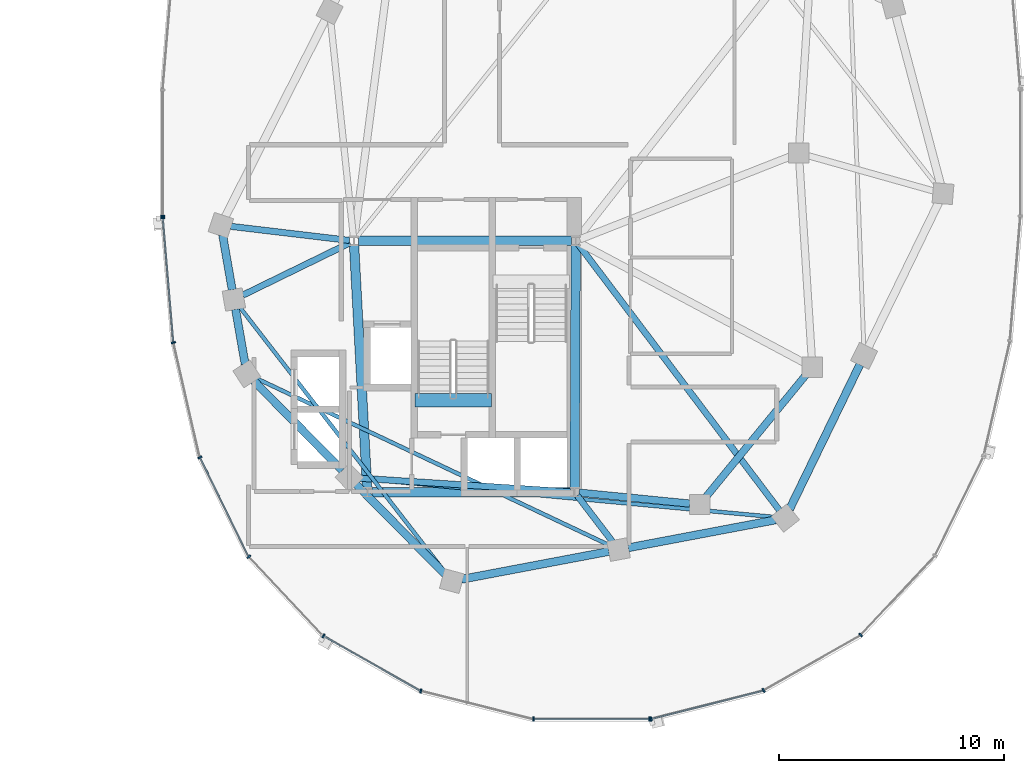
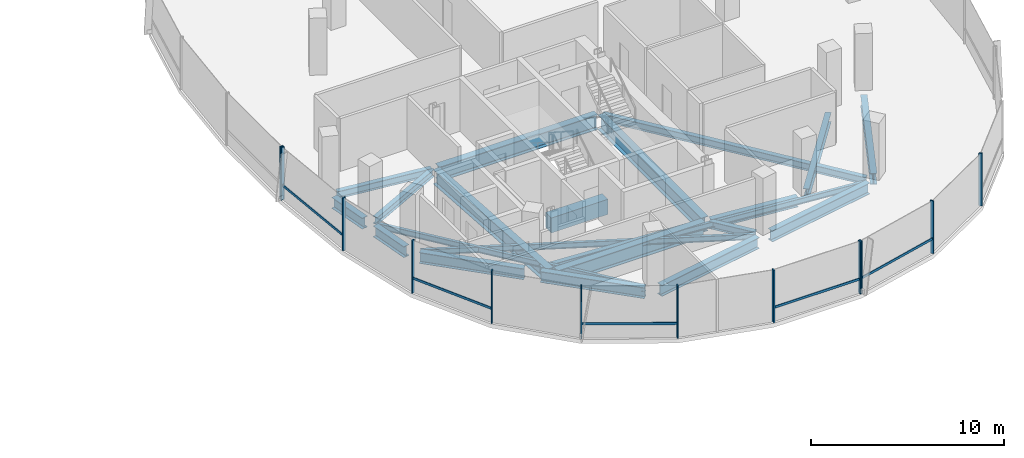
# One storey, part 8 of 24: 22 beams, 17 members, 3 elements without a shape of their own.
"""IFC4 building model written with IfcOpenShell, lengths in metres."""

from ifc_helpers import new_model, si_unit, direction, frame, origin, origin_2d, place, context, subcontext, project, spatial, rectangle, i_section, extrude, material, material_profile, profile_set, type_object, element, aggregate, save


model = new_model("IFC4")

# Units and contexts
model_context = context("Model", 3, precision=1e-05, world=origin(), true_north=direction((0.0, 1.0)))
body_context = subcontext(model_context, "Body", "Model", "MODEL_VIEW")
ifc_project = project(units=[si_unit("LENGTHUNIT", "METRE"), si_unit("AREAUNIT", "SQUARE_METRE"), si_unit("VOLUMEUNIT", "CUBIC_METRE"), si_unit("PLANEANGLEUNIT", "RADIAN"), si_unit("MASSUNIT", "GRAM", prefix="KILO"), si_unit("THERMODYNAMICTEMPERATUREUNIT", "KELVIN"), si_unit("POWERUNIT", "WATT")], contexts=[model_context])

# Site, building, storey
site_placement = place(None, origin())
site = spatial("IfcSite", under=ifc_project, at=site_placement, CompositionType="ELEMENT")
building_placement = place(site_placement, origin())
building = spatial("IfcBuilding", under=site, at=building_placement, Name="Cundina Bronze Exchange", CompositionType="ELEMENT")
storey_placement = place(building_placement, frame((0.0, 0.0, 231.39990234375)))
storey = spatial("IfcBuildingStorey", under=building, at=storey_placement, Name="L61", CompositionType="ELEMENT", Elevation=231.39990234375)

# Beams
ifc_material_1 = material(Name="Concrete C60/75", Category="concrete")
ifc_material_profile_1 = material_profile(ifc_material_1, rectangle(XDim=0.60009765625, YDim=0.949951171875, at=origin_2d()), Name="RC600X950", Category="concrete")
ifc_profile_set_1 = profile_set([ifc_material_profile_1], Name="Concrete C60/75")
beam_type_1 = type_object("IfcBeamType", Name="BM-COUP-RC950", PredefinedType="LINTEL", material=ifc_profile_set_1)
beam_1_placement = place(storey_placement, frame((24.159912109375, -10.97998046875, -0.474853515625), z_axis=(1.0, 0.0, 0.0), x_axis=(0.0, 1.0, 0.0)))
element("IfcBeam", 1, at=beam_1_placement, inside=storey, type_object=beam_type_1, Name="L61 Stair E2 Landing Header Beam", PredefinedType="LINTEL", context=body_context, shape_type="SweptSolid", body=[
    extrude(rectangle(XDim=0.60009765625, YDim=0.949951171875, at=origin_2d()), origin(), (0.0, 0.0, 1.0), 3.400146484375),
])
ifc_material_2 = material(Name="Steel ASTM A992 Grade 50", Category="steel")
ifc_material_profile_2 = material_profile(ifc_material_2, i_section(OverallWidth=0.280029296875, OverallDepth=0.462890625, WebThickness=0.0107421875, FlangeThickness=0.017333984375, FilletRadius=0.011962890625, at=origin_2d()), Name="W18X76", Category="steel")
ifc_profile_set_2 = profile_set([ifc_material_profile_2], Name="Steel ASTM A992 Grade 50")
beam_type_2 = type_object("IfcBeamType", Name="BM-FLR-W18A", PredefinedType="BEAM", material=ifc_profile_set_2)
beam_2_placement = place(storey_placement, frame((21.25537109375, -3.876953125, -0.491455078125), z_axis=(-0.993036786722, 0.117804669761, 0.0), x_axis=(-0.117804669761, -0.993036786722, 0.0)))
element("IfcBeam", 2, at=beam_2_placement, inside=storey, type_object=beam_type_2, Name="L61 Leg E Chordal Floor Beam 00", PredefinedType="BEAM", context=body_context, shape_type="SweptSolid", body=[
    extrude(i_section(OverallWidth=0.280029296875, OverallDepth=0.462890625, WebThickness=0.0107421875, FlangeThickness=0.017333984375, FilletRadius=0.011962890625, at=origin_2d()), origin(), (0.0, 0.0, 1.0), 5.307373046875),
])
beam_3_placement = place(storey_placement, frame((21.27392578125, -3.986083984375, -0.491455078125), z_axis=(-0.898613202677, -0.438741737214, 0.0), x_axis=(0.438741737214, -0.898613202677, 0.0)))
element("IfcBeam", 3, at=beam_3_placement, inside=storey, type_object=beam_type_2, Name="L61 Leg E Chordal Floor Beam 01", PredefinedType="BEAM", context=body_context, shape_type="SweptSolid", body=[
    extrude(i_section(OverallWidth=0.280029296875, OverallDepth=0.462890625, WebThickness=0.0107421875, FlangeThickness=0.017333984375, FilletRadius=0.011962890625, at=origin_2d()), origin(), (0.0, 0.0, 1.0), 5.2919921875),
])
beam_4_placement = place(storey_placement, frame((31.054443359375, -15.037353515625, -0.491455078125), z_axis=(-0.997894145252, 0.064863509559, 0.0), x_axis=(-0.064863509559, -0.997894145252, 0.0)))
element("IfcBeam", 4, at=beam_4_placement, inside=storey, type_object=beam_type_2, Name="L61 Leg E Chordal Floor Beam 03", PredefinedType="BEAM", context=body_context, shape_type="SweptSolid", body=[
    extrude(i_section(OverallWidth=0.280029296875, OverallDepth=0.462890625, WebThickness=0.0107421875, FlangeThickness=0.017333984375, FilletRadius=0.011962890625, at=origin_2d()), origin(), (0.0, 0.0, 1.0), 9.38720703125),
])
beam_5_placement = place(storey_placement, frame((31.369140625, -15.205810546875, -0.491455078125), z_axis=(0.60740437517, -0.794392802727, 0.0), x_axis=(0.794392802727, 0.60740437517, 0.0)))
element("IfcBeam", 5, at=beam_5_placement, inside=storey, type_object=beam_type_2, Name="L61 Leg E Chordal Floor Beam 05", PredefinedType="BEAM", context=body_context, shape_type="SweptSolid", body=[
    extrude(i_section(OverallWidth=0.280029296875, OverallDepth=0.462890625, WebThickness=0.0107421875, FlangeThickness=0.017333984375, FilletRadius=0.011962890625, at=origin_2d()), origin(), (0.0, 0.0, 1.0), 2.575927734375),
])
beam_6_placement = place(storey_placement, frame((31.418212890625, -4.056396484375, -0.491455078125), z_axis=(0.603104943786, -0.797661849897, 0.0), x_axis=(0.797661849897, 0.603104943786, 0.0)))
element("IfcBeam", 6, at=beam_6_placement, inside=storey, type_object=beam_type_2, Name="L61 Leg E Chordal Floor Beam 06", PredefinedType="BEAM", context=body_context, shape_type="SweptSolid", body=[
    extrude(i_section(OverallWidth=0.280029296875, OverallDepth=0.462890625, WebThickness=0.0107421875, FlangeThickness=0.017333984375, FilletRadius=0.011962890625, at=origin_2d()), origin(), (0.0, 0.0, 1.0), 14.785888671875),
])
ifc_material_profile_3 = material_profile(ifc_material_2, i_section(OverallWidth=0.172119140625, OverallDepth=0.35791015625, WebThickness=0.0078125, FlangeThickness=0.01318359375, FilletRadius=0.010009765625, at=origin_2d()), Name="W14X38", Category="steel")
ifc_profile_set_3 = profile_set([ifc_material_profile_3], Name="Steel ASTM A992 Grade 50")
beam_type_3 = type_object("IfcBeamType", Name="BM-JST-W14", PredefinedType="JOIST", material=ifc_profile_set_3)
beam_7_placement = place(storey_placement, frame((16.39306640625, -6.846435546875, -0.43896484375), z_axis=(0.612085793291, -0.790791364174, 0.0), x_axis=(0.790791364174, 0.612085793291, 0.0)))
element("IfcBeam", 7, at=beam_7_placement, inside=storey, type_object=beam_type_3, Name="L61 Leg E Lobe Floor Joist 01-04", PredefinedType="JOIST", context=body_context, shape_type="SweptSolid", body=[
    extrude(i_section(OverallWidth=0.172119140625, OverallDepth=0.35791015625, WebThickness=0.0078125, FlangeThickness=0.01318359375, FilletRadius=0.010009765625, at=origin_2d()), origin(), (0.0, 0.0, 1.0), 14.9306640625),
])
beam_8_placement = place(storey_placement, frame((17.095947265625, -9.9873046875, -0.43896484375), z_axis=(0.904073747204, -0.427376484632, 0.0), x_axis=(0.427376484632, 0.904073747204, 0.0)))
element("IfcBeam", 8, at=beam_8_placement, inside=storey, type_object=beam_type_3, Name="L61 Leg E Lobe Floor Joist 02-05", PredefinedType="JOIST", context=body_context, shape_type="SweptSolid", body=[
    extrude(i_section(OverallWidth=0.172119140625, OverallDepth=0.35791015625, WebThickness=0.0078125, FlangeThickness=0.01318359375, FilletRadius=0.010009765625, at=origin_2d()), origin(), (0.0, 0.0, 1.0), 17.374755859375),
])
beam_9_placement = place(storey_placement, frame((21.68603515625, -14.440673828125, -0.43896484375), z_axis=(0.9957017803, -0.092617302415, 0.0), x_axis=(0.092617302415, 0.9957017803, 0.0)))
element("IfcBeam", 9, at=beam_9_placement, inside=storey, type_object=beam_type_3, Name="L61 Leg E Lobe Floor Joist 03-06", PredefinedType="JOIST", context=body_context, shape_type="SweptSolid", body=[
    extrude(i_section(OverallWidth=0.172119140625, OverallDepth=0.35791015625, WebThickness=0.0078125, FlangeThickness=0.01318359375, FilletRadius=0.010009765625, at=origin_2d()), origin(), (0.0, 0.0, 1.0), 18.5576171875),
])
ifc_material_profile_4 = material_profile(ifc_material_2, i_section(OverallWidth=0.324951171875, OverallDepth=0.615966796875, WebThickness=0.013916015625, FlangeThickness=0.021484375, FilletRadius=0.01611328125, at=origin_2d()), Name="W24X117", Category="steel")
ifc_profile_set_4 = profile_set([ifc_material_profile_4], Name="Steel ASTM A992 Grade 50")
beam_type_4 = type_object("IfcBeamType", Name="BM-RING-W24", PredefinedType="USERDEFINED", material=ifc_profile_set_4)
beam_10_placement = place(storey_placement, frame((31.445068359375, -15.0693359375, -0.56787109375), z_axis=(0.995123854478, -0.09863323096, 0.0), x_axis=(0.09863323096, 0.995123854478, 0.0)))
element("IfcBeam", 10, at=beam_10_placement, inside=storey, type_object=beam_type_4, Name="L61 E Inner Structural Ring Girder 01", ObjectType="GIRDER", PredefinedType="USERDEFINED", context=body_context, shape_type="SweptSolid", body=[
    extrude(i_section(OverallWidth=0.324951171875, OverallDepth=0.615966796875, WebThickness=0.013916015625, FlangeThickness=0.021484375, FilletRadius=0.01611328125, at=origin_2d()), origin(), (0.0, 0.0, 1.0), 4.943115234375),
])
beam_11_placement = place(storey_placement, frame((37.07763671875, -15.26123046875, -0.56787109375), z_axis=(0.633912590175, 0.77340469873, 0.0), x_axis=(-0.77340469873, 0.633912590175, 0.0)))
element("IfcBeam", 11, at=beam_11_placement, inside=storey, type_object=beam_type_4, Name="L61 E Inner Structural Ring Girder 02", ObjectType="GIRDER", PredefinedType="USERDEFINED", context=body_context, shape_type="SweptSolid", body=[
    extrude(i_section(OverallWidth=0.324951171875, OverallDepth=0.615966796875, WebThickness=0.013916015625, FlangeThickness=0.021484375, FilletRadius=0.01611328125, at=origin_2d()), origin(), (0.0, 0.0, 1.0), 7.01123046875),
])
ifc_material_profile_5 = material_profile(ifc_material_2, i_section(OverallWidth=0.35498046875, OverallDepth=0.695068359375, WebThickness=0.015380859375, FlangeThickness=0.02490234375, FilletRadius=0.01806640625, at=origin_2d()), Name="W27X146", Category="steel")
ifc_profile_set_5 = profile_set([ifc_material_profile_5], Name="Steel ASTM A992 Grade 50")
beam_type_5 = type_object("IfcBeamType", Name="BM-RING-W27", PredefinedType="USERDEFINED", material=ifc_profile_set_5)
for number, where, z_axis, x_axis, name in (
    (12, (15.625244140625, -3.631591796875, -0.607421875), (0.171628556628, -0.985161732179, 0.0), (0.985161732179, 0.171628556628, 0.0), "L61 E Perimeter Ring Girder 00"),
    (13, (16.2001953125, -6.931396484375, -0.607421875), (0.171628556628, -0.985161732179, 0.0), (0.985161732179, 0.171628556628, 0.0), "L61 E Perimeter Ring Girder 01"),
):
    element("IfcBeam", number, at=place(storey_placement, frame(where, z_axis=z_axis, x_axis=x_axis)), inside=storey, type_object=beam_type_5, Name=name, ObjectType="GIRDER", PredefinedType="USERDEFINED", context=body_context, shape_type="SweptSolid", body=[
        extrude(i_section(OverallWidth=0.35498046875, OverallDepth=0.695068359375, WebThickness=0.015380859375, FlangeThickness=0.02490234375, FilletRadius=0.01806640625, at=origin_2d()), origin(), (0.0, 0.0, 1.0), 2.4736328125),
    ])
for number, where, z_axis, x_axis, name in (
    (14, (17.008056640625, -10.111328125, -0.607421875), (0.703211928763, -0.710980297368, 0.0), (0.710980297368, 0.703211928763, 0.0), "L61 E Perimeter Ring Girder 02"),
    (15, (21.55810546875, -14.71142578125, -0.607421875), (0.703211928763, -0.710980297368, 0.0), (0.710980297368, 0.703211928763, 0.0), "L61 E Perimeter Ring Girder 03"),
):
    element("IfcBeam", number, at=place(storey_placement, frame(where, z_axis=z_axis, x_axis=x_axis)), inside=storey, type_object=beam_type_5, Name=name, ObjectType="GIRDER", PredefinedType="USERDEFINED", context=body_context, shape_type="SweptSolid", body=[
        extrude(i_section(OverallWidth=0.35498046875, OverallDepth=0.695068359375, WebThickness=0.015380859375, FlangeThickness=0.02490234375, FilletRadius=0.01806640625, at=origin_2d()), origin(), (0.0, 0.0, 1.0), 5.593994140625),
    ])
beam_12_placement = place(storey_placement, frame((26.23046875, -18.918701171875, -0.607421875), z_axis=(0.982565174657, 0.185918470175, 0.0), x_axis=(-0.185918470175, 0.982565174657, 0.0)))
element("IfcBeam", 16, at=beam_12_placement, inside=storey, type_object=beam_type_5, Name="L61 E Perimeter Ring Girder 04", ObjectType="GIRDER", PredefinedType="USERDEFINED", context=body_context, shape_type="SweptSolid", body=[
    extrude(i_section(OverallWidth=0.35498046875, OverallDepth=0.695068359375, WebThickness=0.015380859375, FlangeThickness=0.02490234375, FilletRadius=0.01806640625, at=origin_2d()), origin(), (0.0, 0.0, 1.0), 6.655029296875),
])
beam_13_placement = place(storey_placement, frame((33.63037109375, -17.5185546875, -0.607421875), z_axis=(0.982573143022, 0.185876353022, 0.0), x_axis=(-0.185876353022, 0.982573143022, 0.0)))
element("IfcBeam", 17, at=beam_13_placement, inside=storey, type_object=beam_type_5, Name="L61 E Perimeter Ring Girder 05", ObjectType="GIRDER", PredefinedType="USERDEFINED", context=body_context, shape_type="SweptSolid", body=[
    extrude(i_section(OverallWidth=0.35498046875, OverallDepth=0.695068359375, WebThickness=0.015380859375, FlangeThickness=0.02490234375, FilletRadius=0.01806640625, at=origin_2d()), origin(), (0.0, 0.0, 1.0), 6.6552734375),
])
beam_14_placement = place(storey_placement, frame((40.79150390625, -15.80615234375, -0.607421875), z_axis=(0.437173087764, 0.89937739094, 0.0), x_axis=(-0.89937739094, 0.437173087764, 0.0)))
element("IfcBeam", 18, at=beam_14_placement, inside=storey, type_object=beam_type_5, Name="L61 E Perimeter Ring Girder 06", ObjectType="GIRDER", PredefinedType="USERDEFINED", context=body_context, shape_type="SweptSolid", body=[
    extrude(i_section(OverallWidth=0.35498046875, OverallDepth=0.695068359375, WebThickness=0.015380859375, FlangeThickness=0.02490234375, FilletRadius=0.01806640625, at=origin_2d()), origin(), (0.0, 0.0, 1.0), 7.1298828125),
])
ifc_material_profile_6 = material_profile(ifc_material_2, i_section(OverallWidth=0.41796875, OverallDepth=0.927001953125, WebThickness=0.019287109375, FlangeThickness=0.031982421875, FilletRadius=0.02392578125, at=origin_2d()), Name="W36X231", Category="steel")
ifc_profile_set_6 = profile_set([ifc_material_profile_6], Name="Steel ASTM A992 Grade 50")
beam_type_6 = type_object("IfcBeamType", Name="BM-WRN-W36B", PredefinedType="USERDEFINED", material=ifc_profile_set_6)
beam_15_placement = place(storey_placement, frame((31.10400390625, -3.89990234375, -0.723388671875), z_axis=(-1.0, 0.0, 0.0), x_axis=(0.0, -1.0, 0.0)))
element("IfcBeam", 19, at=beam_15_placement, inside=storey, type_object=beam_type_6, Name="L61 E Core Perimeter Tie Girder 1", ObjectType="GIRDER", PredefinedType="USERDEFINED", context=body_context, shape_type="SweptSolid", body=[
    extrude(i_section(OverallWidth=0.41796875, OverallDepth=0.927001953125, WebThickness=0.019287109375, FlangeThickness=0.031982421875, FilletRadius=0.02392578125, at=origin_2d()), origin(), (0.0, 0.0, 1.0), 9.4580078125),
])
beam_16_placement = place(storey_placement, frame((21.46044921875, -4.095703125, -0.723388671875), z_axis=(0.053749317644, -0.998554460634, 0.0), x_axis=(0.998554460634, 0.053749317644, 0.0)))
element("IfcBeam", 20, at=beam_16_placement, inside=storey, type_object=beam_type_6, Name="L61 E Core Perimeter Tie Girder 2", ObjectType="GIRDER", PredefinedType="USERDEFINED", context=body_context, shape_type="SweptSolid", body=[
    extrude(i_section(OverallWidth=0.41796875, OverallDepth=0.927001953125, WebThickness=0.019287109375, FlangeThickness=0.031982421875, FilletRadius=0.02392578125, at=origin_2d()), origin(), (0.0, 0.0, 1.0), 10.774169921875),
])
beam_17_placement = place(storey_placement, frame((22.24609375, -15.050048828125, -0.723388671875), z_axis=(1.0, 0.0, 0.0), x_axis=(0.0, 1.0, 0.0)))
element("IfcBeam", 21, at=beam_17_placement, inside=storey, type_object=beam_type_6, Name="L61 E Core Perimeter Tie Girder 3", ObjectType="GIRDER", PredefinedType="USERDEFINED", context=body_context, shape_type="SweptSolid", body=[
    extrude(i_section(OverallWidth=0.41796875, OverallDepth=0.927001953125, WebThickness=0.019287109375, FlangeThickness=0.031982421875, FilletRadius=0.02392578125, at=origin_2d()), origin(), (0.0, 0.0, 1.0), 8.807861328125),
])
beam_18_placement = place(storey_placement, frame((31.2509765625, -14.85400390625, -0.723388671875), z_axis=(0.004470623654, 0.999990006712, 0.0), x_axis=(-0.999990006712, 0.004470623654, 0.0)))
element("IfcBeam", 22, at=beam_18_placement, inside=storey, type_object=beam_type_6, Name="L61 E Core Perimeter Tie Girder 4", ObjectType="GIRDER", PredefinedType="USERDEFINED", context=body_context, shape_type="SweptSolid", body=[
    extrude(i_section(OverallWidth=0.41796875, OverallDepth=0.927001953125, WebThickness=0.019287109375, FlangeThickness=0.031982421875, FilletRadius=0.02392578125, at=origin_2d()), origin(), (0.0, 0.0, 1.0), 10.758056640625),
])

# Curtain wall, member
ifc_material_3 = material(Name="Anodised Bronze Aluminium 6063-T6", Category="aluminium")
curtain_wall_type = type_object("IfcCurtainWallType", Name="CWS-UPP-OFF", PredefinedType="NOTDEFINED", material=ifc_material_3)
curtain_wall_1_placement = place(storey_placement, origin())
curtain_wall_1 = element("IfcCurtainWall", 23, at=curtain_wall_1_placement, inside=storey, type_object=curtain_wall_type, Name="L61 CW-05 Curtain Wall Run CWR-L61-E2", PredefinedType="NOTDEFINED")
ifc_material_profile_7 = material_profile(ifc_material_3, rectangle(XDim=0.070068359375, YDim=0.18994140625, at=origin_2d()), Name="AL70X190", Category="aluminium")
ifc_profile_set_7 = profile_set([ifc_material_profile_7], Name="Anodised Bronze Aluminium 6063-T6")
member_type_1 = type_object("IfcMemberType", Name="CWM-MUL-190", PredefinedType="MULLION", material=ifc_profile_set_7)
member_1_placement = place(storey_placement, frame((12.966064453125, -2.794921875, 0.0), z_axis=(0.0, 0.0, 1.0), x_axis=(0.0, -1.0, 0.0)))
member_1 = element("IfcMember", 24, at=member_1_placement, type_object=member_type_1, Name="CW-05 End Mullion", PredefinedType="MULLION", context=body_context, shape_type="SweptSolid", body=[
    extrude(rectangle(XDim=0.070068359375, YDim=0.18994140625, at=origin_2d()), origin(), (0.0, 0.0, 1.0), 3.320068359375),
])
aggregate(curtain_wall_1, [member_1])

# Curtain wall, members
curtain_wall_2_placement = place(storey_placement, origin())
curtain_wall_2 = element("IfcCurtainWall", 25, at=curtain_wall_2_placement, inside=storey, type_object=curtain_wall_type, Name="L61 CW-05 Curtain Wall Run CWR-L61-E3", PredefinedType="NOTDEFINED")
member_2_placement = place(storey_placement, frame((12.9697265625, -2.88330078125, 0.0), z_axis=(0.0, 0.0, 1.0), x_axis=(0.083677843332, -0.99649285925, 0.0)))
member_2 = element("IfcMember", 26, at=member_2_placement, type_object=member_type_1, Name="CW-05 Mullion 1", PredefinedType="MULLION", context=body_context, shape_type="SweptSolid", body=[
    extrude(rectangle(XDim=0.070068359375, YDim=0.18994140625, at=origin_2d()), origin(), (0.0, 0.0, 1.0), 3.320068359375),
])
member_3_placement = place(storey_placement, frame((13.43994140625, -8.4111328125, 0.0), z_axis=(0.0, 0.0, 1.0), x_axis=(0.223250116011, -0.974761194191, 0.0)))
member_3 = element("IfcMember", 27, at=member_3_placement, type_object=member_type_1, Name="CW-05 Mullion 2", PredefinedType="MULLION", context=body_context, shape_type="SweptSolid", body=[
    extrude(rectangle(XDim=0.070068359375, YDim=0.18994140625, at=origin_2d()), origin(), (0.0, 0.0, 1.0), 3.320068359375),
])
member_4_placement = place(storey_placement, frame((14.61572265625, -13.50732421875, 0.0), z_axis=(0.0, 0.0, 1.0), x_axis=(0.440566004113, -0.897720221461, 0.0)))
member_4 = element("IfcMember", 28, at=member_4_placement, type_object=member_type_1, Name="CW-05 Mullion 3", PredefinedType="MULLION", context=body_context, shape_type="SweptSolid", body=[
    extrude(rectangle(XDim=0.070068359375, YDim=0.18994140625, at=origin_2d()), origin(), (0.0, 0.0, 1.0), 3.320068359375),
])
member_5_placement = place(storey_placement, frame((16.790283203125, -17.91796875, 0.0), z_axis=(0.0, 0.0, 1.0), x_axis=(0.684292606175, -0.729207535023, 0.0)))
member_5 = element("IfcMember", 29, at=member_5_placement, type_object=member_type_1, Name="CW-05 Mullion 4", PredefinedType="MULLION", context=body_context, shape_type="SweptSolid", body=[
    extrude(rectangle(XDim=0.070068359375, YDim=0.18994140625, at=origin_2d()), origin(), (0.0, 0.0, 1.0), 3.320068359375),
])
member_6_placement = place(storey_placement, frame((20.100341796875, -21.43115234375, 0.0), z_axis=(0.0, 0.0, 1.0), x_axis=(0.86958112538, -0.493790103568, 0.0)))
member_6 = element("IfcMember", 30, at=member_6_placement, type_object=member_type_1, Name="CW-05 Mullion 5", PredefinedType="MULLION", context=body_context, shape_type="SweptSolid", body=[
    extrude(rectangle(XDim=0.070068359375, YDim=0.18994140625, at=origin_2d()), origin(), (0.0, 0.0, 1.0), 3.320068359375),
])
member_7_placement = place(storey_placement, frame((24.422607421875, -23.87548828125, 0.0), z_axis=(0.0, 0.0, 1.0), x_axis=(0.969744325821, -0.244122802168, 0.0)))
member_7 = element("IfcMember", 31, at=member_7_placement, type_object=member_type_1, Name="CW-05 Mullion 6", PredefinedType="MULLION", context=body_context, shape_type="SweptSolid", body=[
    extrude(rectangle(XDim=0.070068359375, YDim=0.18994140625, at=origin_2d()), origin(), (0.0, 0.0, 1.0), 3.320068359375),
])
member_8_placement = place(storey_placement, frame((29.419921875, -25.125, 0.0), z_axis=(0.0, 0.0, 1.0), x_axis=(1.0, 0.0, 0.0)))
member_8 = element("IfcMember", 32, at=member_8_placement, type_object=member_type_1, Name="CW-05 Mullion 7", PredefinedType="MULLION", context=body_context, shape_type="SweptSolid", body=[
    extrude(rectangle(XDim=0.070068359375, YDim=0.18994140625, at=origin_2d()), origin(), (0.0, 0.0, 1.0), 3.320068359375),
])
member_9_placement = place(storey_placement, frame((34.580078125, -25.125, 0.0), z_axis=(0.0, 0.0, 1.0), x_axis=(1.0, 0.0, 0.0)))
member_9 = element("IfcMember", 33, at=member_9_placement, type_object=member_type_1, Name="CW-05 End Mullion", PredefinedType="MULLION", context=body_context, shape_type="SweptSolid", body=[
    extrude(rectangle(XDim=0.070068359375, YDim=0.18994140625, at=origin_2d()), origin(), (0.0, 0.0, 1.0), 3.320068359375),
])

curtain_wall_3_placement = place(storey_placement, origin())
curtain_wall_3 = element("IfcCurtainWall", 34, at=curtain_wall_3_placement, inside=storey, type_object=curtain_wall_type, Name="L61 CW-05 Curtain Wall Run CWR-L61-E4", PredefinedType="NOTDEFINED")
member_10_placement = place(storey_placement, frame((34.6484375, -25.116455078125, 0.0), z_axis=(0.0, 0.0, 1.0), x_axis=(0.969744325821, 0.244122802168, 0.0)))
member_10 = element("IfcMember", 35, at=member_10_placement, type_object=member_type_1, Name="CW-05 Mullion 1", PredefinedType="MULLION", context=body_context, shape_type="SweptSolid", body=[
    extrude(rectangle(XDim=0.070068359375, YDim=0.18994140625, at=origin_2d()), origin(), (0.0, 0.0, 1.0), 3.320068359375),
])
member_11_placement = place(storey_placement, frame((39.638916015625, -23.850830078125, 0.0), z_axis=(0.0, 0.0, 1.0), x_axis=(0.86958112538, 0.493790103568, 0.0)))
member_11 = element("IfcMember", 36, at=member_11_placement, type_object=member_type_1, Name="CW-05 Mullion 2", PredefinedType="MULLION", context=body_context, shape_type="SweptSolid", body=[
    extrude(rectangle(XDim=0.070068359375, YDim=0.18994140625, at=origin_2d()), origin(), (0.0, 0.0, 1.0), 3.320068359375),
])
member_12_placement = place(storey_placement, frame((43.94873046875, -21.392578125, 0.0), z_axis=(0.0, 0.0, 1.0), x_axis=(0.684292606175, 0.729207535023, 0.0)))
member_12 = element("IfcMember", 37, at=member_12_placement, type_object=member_type_1, Name="CW-05 Mullion 3", PredefinedType="MULLION", context=body_context, shape_type="SweptSolid", body=[
    extrude(rectangle(XDim=0.070068359375, YDim=0.18994140625, at=origin_2d()), origin(), (0.0, 0.0, 1.0), 3.320068359375),
])

# Member
ifc_material_profile_8 = material_profile(ifc_material_3, rectangle(XDim=0.06494140625, YDim=0.14990234375, at=origin_2d()), Name="AL65X150", Category="aluminium")
ifc_profile_set_8 = profile_set([ifc_material_profile_8], Name="Anodised Bronze Aluminium 6063-T6")
member_type_2 = type_object("IfcMemberType", Name="CWM-TRN-150", PredefinedType="USERDEFINED", material=ifc_profile_set_8)
member_13_placement = place(storey_placement, frame((12.972900390625, -2.921630859375, 0.920166015625), z_axis=(0.083740331158, -0.996487610027, 0.0), x_axis=(0.996487610027, 0.083740331158, 0.0)))
member_13 = element("IfcMember", 38, at=member_13_placement, type_object=member_type_2, Name="CW-05 Spandrel Transom 1", ObjectType="TRANSOM", PredefinedType="USERDEFINED", context=body_context, shape_type="SweptSolid", body=[
    extrude(rectangle(XDim=0.06494140625, YDim=0.14990234375, at=origin_2d()), origin(), (0.0, 0.0, 1.0), 5.466552734375),
])

member_14_placement = place(storey_placement, frame((14.6328125, -13.5419921875, 0.920166015625), z_axis=(0.440483110889, -0.897760897467, 0.0), x_axis=(0.897760897467, 0.440483110889, 0.0)))
member_14 = element("IfcMember", 39, at=member_14_placement, type_object=member_type_2, Name="CW-05 Spandrel Transom 3", ObjectType="TRANSOM", PredefinedType="USERDEFINED", context=body_context, shape_type="SweptSolid", body=[
    extrude(rectangle(XDim=0.06494140625, YDim=0.14990234375, at=origin_2d()), origin(), (0.0, 0.0, 1.0), 4.855224609375),
])

member_15_placement = place(storey_placement, frame((20.1337890625, -21.4501953125, 0.920166015625), z_axis=(0.869573748083, -0.493803095013, 0.0), x_axis=(0.493803095013, 0.869573748083, 0.0)))
member_15 = element("IfcMember", 40, at=member_15_placement, type_object=member_type_2, Name="CW-05 Spandrel Transom 5", ObjectType="TRANSOM", PredefinedType="USERDEFINED", context=body_context, shape_type="SweptSolid", body=[
    extrude(rectangle(XDim=0.06494140625, YDim=0.14990234375, at=origin_2d()), origin(), (0.0, 0.0, 1.0), 4.900146484375),
])

member_16_placement = place(storey_placement, frame((29.45849609375, -25.125, 0.920166015625), z_axis=(1.0, 0.0, 0.0), x_axis=(0.0, 1.0, 0.0)))
member_16 = element("IfcMember", 41, at=member_16_placement, type_object=member_type_2, Name="CW-05 Spandrel Transom 7", ObjectType="TRANSOM", PredefinedType="USERDEFINED", context=body_context, shape_type="SweptSolid", body=[
    extrude(rectangle(XDim=0.06494140625, YDim=0.14990234375, at=origin_2d()), origin(), (0.0, 0.0, 1.0), 5.0830078125),
])

aggregate(curtain_wall_2, [member_2, member_13, member_3, member_4, member_14, member_5, member_6, member_15, member_7, member_8, member_9, member_16])

member_17_placement = place(storey_placement, frame((34.685791015625, -25.107177734375, 0.920166015625), z_axis=(0.969725738797, 0.244196624699, 0.0), x_axis=(-0.244196624699, 0.969725738797, 0.0)))
member_17 = element("IfcMember", 42, at=member_17_placement, type_object=member_type_2, Name="CW-05 Spandrel Transom 1", ObjectType="TRANSOM", PredefinedType="USERDEFINED", context=body_context, shape_type="SweptSolid", body=[
    extrude(rectangle(XDim=0.06494140625, YDim=0.14990234375, at=origin_2d()), origin(), (0.0, 0.0, 1.0), 5.082763671875),
])

aggregate(curtain_wall_3, [member_10, member_17, member_11, member_12])

save(model, "model.ifc")
